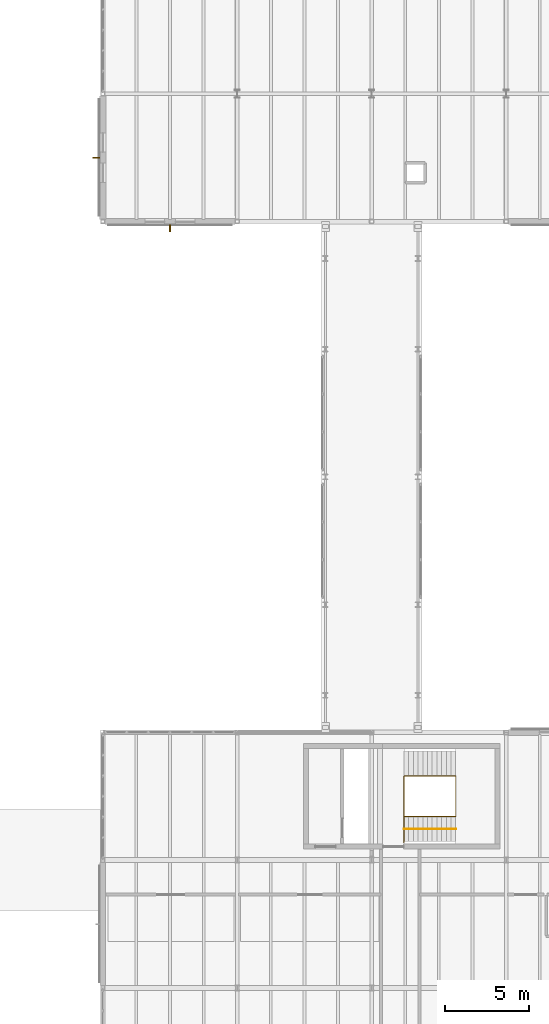
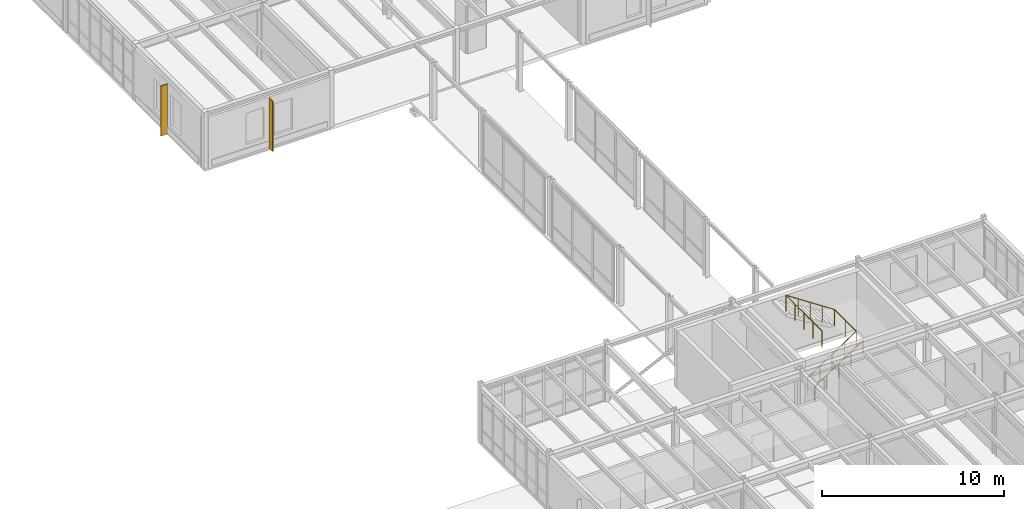
# One storey, part 187 of 189: 2 railings, 2 shading devices.
"""IFC4 building model written with IfcOpenShell, lengths in metres."""

from ifc_helpers import new_model, si_unit, direction, frame, origin, origin_2d, place, context, subcontext, project, spatial, rectangle, circle, extrude, material, type_object, element, save


model = new_model("IFC4")

# Units and contexts
model_context = context("Model", 3, precision=1e-05, world=origin(), true_north=direction((0.0, 1.0)))
body_context = subcontext(model_context, "Body", "Model", "MODEL_VIEW")
ifc_project = project(units=[si_unit("LENGTHUNIT", "METRE"), si_unit("AREAUNIT", "SQUARE_METRE"), si_unit("VOLUMEUNIT", "CUBIC_METRE"), si_unit("PLANEANGLEUNIT", "RADIAN"), si_unit("MASSUNIT", "GRAM", prefix="KILO")], contexts=[model_context])

# Site, building, storey
site_placement = place(None, origin())
site = spatial("IfcSite", under=ifc_project, at=site_placement, CompositionType="ELEMENT")
building_placement = place(site_placement, origin())
building = spatial("IfcBuilding", under=site, at=building_placement, Name="Montecoro Central Library", CompositionType="ELEMENT")
storey_placement = place(building_placement, frame((0.0, 0.0, 9.179931640625)))
storey = spatial("IfcBuildingStorey", under=building, at=storey_placement, Name="L02", CompositionType="ELEMENT", Elevation=9.179931640625)

# Railings
ifc_material_1 = material(Name="Brushed stainless steel and bronze balustrade", Category="steel")
railing_type_1 = type_object("IfcRailingType", Name="GRD-INT-110", PredefinedType="GUARDRAIL", material=ifc_material_1)
railing_1_placement = place(storey_placement, frame((158.919921875, 38.0, 0.0)))
element("IfcRailing", 1, at=railing_1_placement, inside=storey, type_object=railing_type_1, Name="C7-L02-STR-GRD", PredefinedType="GUARDRAIL", context=body_context, shape_type="SweptSolid", body=[
    extrude(circle(Radius=0.02392578125, at=origin_2d()), frame((0.0, 0.0, 1.09619140625), z_axis=(0.833713881912, 0.0, 0.552196670677), x_axis=(0.0, 1.0, 0.0)), (0.0, 0.0, 1.0), 3.6943359375),
    extrude(circle(Radius=0.02392578125, at=origin_2d()), frame((3.080078125, 0.0, 3.13623046875), z_axis=(0.0, 1.0, 0.0), x_axis=(-1.0, 0.0, 0.0)), (0.0, 0.0, 1.0), 2.39990234375),
    extrude(circle(Radius=0.02392578125, at=origin_2d()), frame((3.080078125, 2.39990234375, 3.13623046875), z_axis=(-0.833713881912, 0.0, 0.552196670677), x_axis=(0.0, -1.0, 0.0)), (0.0, 0.0, 1.0), 3.6943359375),
    extrude(circle(Radius=0.02392578125, at=origin_2d()), frame((0.0, 2.39990234375, 5.17626953125), z_axis=(0.0, -1.0, 0.0), x_axis=(1.0, 0.0, 0.0)), (0.0, 0.0, 1.0), 3.949951171875),
    extrude(circle(Radius=0.02099609375, at=origin_2d()), origin(), (0.0, 0.0, 1.0), 1.072021484375),
    extrude(circle(Radius=0.02099609375, at=origin_2d()), frame((0.77001953125, 0.0, 0.510009765625)), (0.0, 0.0, 1.0), 1.072021484375),
    extrude(circle(Radius=0.02099609375, at=origin_2d()), frame((1.5400390625, 0.0, 1.02001953125)), (0.0, 0.0, 1.0), 1.072021484375),
    extrude(circle(Radius=0.02099609375, at=origin_2d()), frame((2.31005859375, 0.0, 1.530029296875)), (0.0, 0.0, 1.0), 1.072021484375),
    extrude(circle(Radius=0.02099609375, at=origin_2d()), frame((3.080078125, 0.0, 2.0400390625)), (0.0, 0.0, 1.0), 1.072021484375),
    extrude(circle(Radius=0.02099609375, at=origin_2d()), frame((3.080078125, 1.199951171875, 2.0400390625)), (0.0, 0.0, 1.0), 1.072021484375),
    extrude(circle(Radius=0.02099609375, at=origin_2d()), frame((3.080078125, 2.39990234375, 2.0400390625)), (0.0, 0.0, 1.0), 1.072021484375),
    extrude(circle(Radius=0.02099609375, at=origin_2d()), frame((2.31005859375, 2.39990234375, 2.550048828125)), (0.0, 0.0, 1.0), 1.072021484375),
    extrude(circle(Radius=0.02099609375, at=origin_2d()), frame((1.5400390625, 2.39990234375, 3.06005859375)), (0.0, 0.0, 1.0), 1.072021484375),
    extrude(circle(Radius=0.02099609375, at=origin_2d()), frame((0.77001953125, 2.39990234375, 3.570068359375)), (0.0, 0.0, 1.0), 1.072021484375),
    extrude(circle(Radius=0.02099609375, at=origin_2d()), frame((0.0, 2.39990234375, 4.080078125)), (0.0, 0.0, 1.0), 1.072021484375),
    extrude(circle(Radius=0.02099609375, at=origin_2d()), frame((0.0, 1.412353515625, 4.080078125)), (0.0, 0.0, 1.0), 1.072021484375),
    extrude(circle(Radius=0.02099609375, at=origin_2d()), frame((0.0, 0.4248046875, 4.080078125)), (0.0, 0.0, 1.0), 1.072021484375),
    extrude(circle(Radius=0.02099609375, at=origin_2d()), frame((0.0, -0.5625, 4.080078125)), (0.0, 0.0, 1.0), 1.072021484375),
    extrude(circle(Radius=0.02099609375, at=origin_2d()), frame((0.0, -1.550048828125, 4.080078125)), (0.0, 0.0, 1.0), 1.072021484375),
])
ifc_material_2 = material(Name="Brushed architectural bronze handrail")
railing_type_2 = type_object("IfcRailingType", Name="HRL-STR-095", PredefinedType="HANDRAIL", material=ifc_material_2)
railing_2_placement = place(storey_placement, frame((158.919921875, 37.25, 0.0)))
element("IfcRailing", 2, at=railing_2_placement, inside=storey, type_object=railing_type_2, Name="C7-L02-STR-HR1", PredefinedType="HANDRAIL", context=body_context, shape_type="SweptSolid", body=[
    extrude(circle(Radius=0.02392578125, at=origin_2d()), frame((0.0, 0.0, 0.92578125), z_axis=(0.833713881912, 0.0, 0.552196670677), x_axis=(0.0, 1.0, 0.0)), (0.0, 0.0, 1.0), 3.6943359375),
    extrude(circle(Radius=0.02099609375, at=origin_2d()), origin(), (0.0, 0.0, 1.0), 0.90185546875),
    extrude(circle(Radius=0.02099609375, at=origin_2d()), frame((0.77001953125, 0.0, 0.510009765625)), (0.0, 0.0, 1.0), 0.90185546875),
    extrude(circle(Radius=0.02099609375, at=origin_2d()), frame((1.5400390625, 0.0, 1.02001953125)), (0.0, 0.0, 1.0), 0.90185546875),
    extrude(circle(Radius=0.02099609375, at=origin_2d()), frame((2.31005859375, 0.0, 1.530029296875)), (0.0, 0.0, 1.0), 0.90185546875),
    extrude(circle(Radius=0.02099609375, at=origin_2d()), frame((3.080078125, 0.0, 2.0400390625)), (0.0, 0.0, 1.0), 0.90185546875),
])

# Shading devices
ifc_material_3 = material(Name="Architectural bronze solar fin", Category="aluminium")
shading_device_type = type_object("IfcShadingDeviceType", Name="SHD-FIN-09", PredefinedType="USERDEFINED", material=ifc_material_3)
for number, where, z_axis, x_axis, name in (
    (3, (145.0, 73.009521484375, 0.06005859375), (0.0, 0.0, 1.0), (1.0, 0.0, 0.0), "V5-L02-FIN-S0"),
    (4, (140.609619140625, 77.199951171875, 0.06005859375), (0.0, 0.0, 1.0), (0.0, -1.0, 0.0), "V5-L02-FIN-W0"),
):
    element("IfcShadingDevice", number, at=place(storey_placement, frame(where, z_axis=z_axis, x_axis=x_axis)), inside=storey, type_object=shading_device_type, Name=name, ObjectType="SOLAR FIN", PredefinedType="USERDEFINED", context=body_context, shape_type="SweptSolid", body=[
        extrude(rectangle(XDim=0.06005859375, YDim=0.419921875, at=origin_2d()), origin(), (0.0, 0.0, 1.0), 3.360107421875),
    ])

save(model, "model.ifc")
